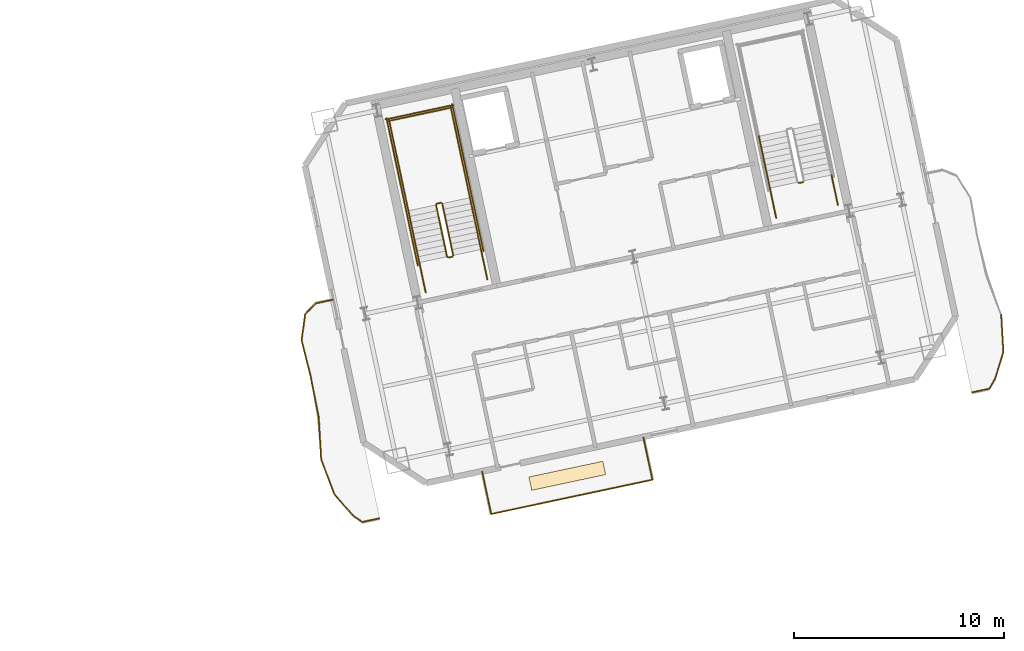
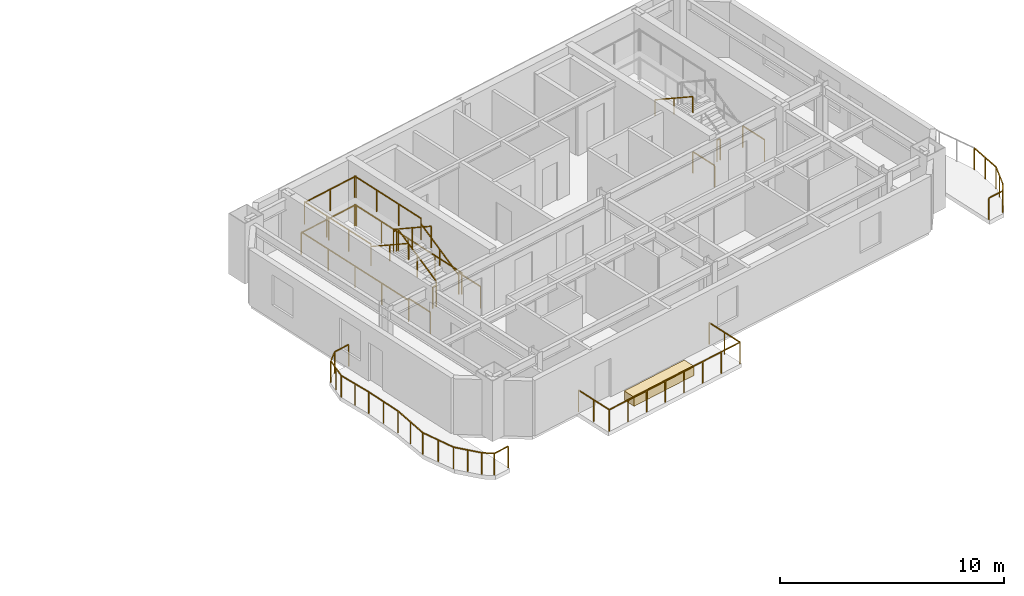
# One storey, part 13 of 14: 35 railings, 1 covering.
"""IFC4 building model written with IfcOpenShell, lengths in metres."""

from ifc_helpers import new_model, si_unit, direction, frame, origin, origin_2d, place, context, subcontext, project, spatial, rectangle, extrude, material, layer, layer_set, type_object, element, save


model = new_model("IFC4")

# Units and contexts
model_context = context("Model", 3, precision=1e-05, world=origin(), true_north=direction((0.0, 1.0)))
body_context = subcontext(model_context, "Body", "Model", "MODEL_VIEW")
ifc_project = project(units=[si_unit("LENGTHUNIT", "METRE"), si_unit("AREAUNIT", "SQUARE_METRE"), si_unit("VOLUMEUNIT", "CUBIC_METRE"), si_unit("PLANEANGLEUNIT", "RADIAN"), si_unit("MASSUNIT", "GRAM", prefix="KILO")], contexts=[model_context])

# Site, building, storey
site_placement = place(None, origin())
site = spatial("IfcSite", under=ifc_project, at=site_placement, CompositionType="ELEMENT")
building_placement = place(site_placement, origin())
building = spatial("IfcBuilding", under=site, at=building_placement, Name="Haevon Station Towers", CompositionType="ELEMENT")
storey_placement = place(building_placement, frame((0.0, 0.0, 228.60009765625)))
storey = spatial("IfcBuildingStorey", under=building, at=storey_placement, Name="L63", CompositionType="ELEMENT", Elevation=228.60009765625)

# Railings
ifc_material_1 = material(Name="Steel S355", Category="steel")
railing_type_1 = type_object("IfcRailingType", Name="GRD-EXT1200", PredefinedType="GUARDRAIL", material=ifc_material_1)
railing_1_placement = place(storey_placement, frame((94.71142578125, 37.58251953125, 0.0)))
element("IfcRailing", 1, at=railing_1_placement, inside=storey, type_object=railing_type_1, Name="L63 Perimeter Guardrail 1", PredefinedType="GUARDRAIL", context=body_context, shape_type="SweptSolid", body=[
    extrude(rectangle(XDim=0.048095703125, YDim=0.048095703125, at=origin_2d()), frame((0.0, 0.0, 1.17578125), z_axis=(-0.977678572445, -0.210106185017, 0.0), x_axis=(0.210106185017, -0.977678572445, 0.0)), (0.0, 0.0, 1.0), 0.837890625),
    extrude(rectangle(XDim=0.0419921875, YDim=0.0419921875, at=origin_2d()), origin(), (0.0, 0.0, 1.0), 1.15185546875),
    extrude(rectangle(XDim=0.0419921875, YDim=0.0419921875, at=origin_2d()), frame((-0.819091796875, -0.176025390625, 0.0)), (0.0, 0.0, 1.0), 1.15185546875),
])
railing_2_placement = place(storey_placement, frame((93.892333984375, 37.406494140625, 0.0)))
element("IfcRailing", 2, at=railing_2_placement, inside=storey, type_object=railing_type_1, Name="L63 Perimeter Guardrail 2", PredefinedType="GUARDRAIL", context=body_context, shape_type="SweptSolid", body=[
    extrude(rectangle(XDim=0.048095703125, YDim=0.048095703125, at=origin_2d()), frame((0.0, 0.0, 1.17578125), z_axis=(-0.691571499126, -0.722308010198, 0.0), x_axis=(0.722308010198, -0.691571499126, 0.0)), (0.0, 0.0, 1.0), 0.730712890625),
    extrude(rectangle(XDim=0.0419921875, YDim=0.0419921875, at=origin_2d()), origin(), (0.0, 0.0, 1.0), 1.15185546875),
    extrude(rectangle(XDim=0.0419921875, YDim=0.0419921875, at=origin_2d()), frame((-0.50537109375, -0.52783203125, 0.0)), (0.0, 0.0, 1.0), 1.15185546875),
])
railing_3_placement = place(storey_placement, frame((93.386962890625, 36.878662109375, 0.0)))
element("IfcRailing", 3, at=railing_3_placement, inside=storey, type_object=railing_type_1, Name="L63 Perimeter Guardrail 3", PredefinedType="GUARDRAIL", context=body_context, shape_type="SweptSolid", body=[
    extrude(rectangle(XDim=0.048095703125, YDim=0.048095703125, at=origin_2d()), frame((0.0, 0.0, 1.17578125), z_axis=(-0.134376751638, -0.990930314714, 0.0), x_axis=(0.990930314714, -0.134376751638, 0.0)), (0.0, 0.0, 1.0), 1.24267578125),
    extrude(rectangle(XDim=0.0419921875, YDim=0.0419921875, at=origin_2d()), origin(), (0.0, 0.0, 1.0), 1.15185546875),
    extrude(rectangle(XDim=0.0419921875, YDim=0.0419921875, at=origin_2d()), frame((-0.08349609375, -0.61572265625, 0.0)), (0.0, 0.0, 1.0), 1.15185546875),
    extrude(rectangle(XDim=0.0419921875, YDim=0.0419921875, at=origin_2d()), frame((-0.1669921875, -1.2314453125, 0.0)), (0.0, 0.0, 1.0), 1.15185546875),
])
railing_4_placement = place(storey_placement, frame((93.219970703125, 35.647216796875, 0.0)))
element("IfcRailing", 4, at=railing_4_placement, inside=storey, type_object=railing_type_1, Name="L63 Perimeter Guardrail 4", PredefinedType="GUARDRAIL", context=body_context, shape_type="SweptSolid", body=[
    extrude(rectangle(XDim=0.048095703125, YDim=0.048095703125, at=origin_2d()), frame((0.0, 0.0, 1.17578125), z_axis=(0.243814635362, -0.969821851467, 0.0), x_axis=(0.969821851467, 0.243814635362, 0.0)), (0.0, 0.0, 1.0), 1.751220703125),
    extrude(rectangle(XDim=0.0419921875, YDim=0.0419921875, at=origin_2d()), origin(), (0.0, 0.0, 1.0), 1.15185546875),
    extrude(rectangle(XDim=0.0419921875, YDim=0.0419921875, at=origin_2d()), frame((0.21337890625, -0.84912109375, 0.0)), (0.0, 0.0, 1.0), 1.15185546875),
    extrude(rectangle(XDim=0.0419921875, YDim=0.0419921875, at=origin_2d()), frame((0.427001953125, -1.698486328125, 0.0)), (0.0, 0.0, 1.0), 1.15185546875),
])
railing_5_placement = place(storey_placement, frame((93.64697265625, 33.94873046875, 0.0)))
element("IfcRailing", 5, at=railing_5_placement, inside=storey, type_object=railing_type_1, Name="L63 Perimeter Guardrail 5", PredefinedType="GUARDRAIL", context=body_context, shape_type="SweptSolid", body=[
    extrude(rectangle(XDim=0.048095703125, YDim=0.048095703125, at=origin_2d()), frame((0.0, 0.0, 1.17578125), z_axis=(0.195384427419, -0.980726733358, 0.0), x_axis=(0.980726733358, 0.195384427419, 0.0)), (0.0, 0.0, 1.0), 1.9892578125),
    extrude(rectangle(XDim=0.0419921875, YDim=0.0419921875, at=origin_2d()), origin(), (0.0, 0.0, 1.0), 1.15185546875),
    extrude(rectangle(XDim=0.0419921875, YDim=0.0419921875, at=origin_2d()), frame((0.1943359375, -0.9755859375, 0.0)), (0.0, 0.0, 1.0), 1.15185546875),
    extrude(rectangle(XDim=0.0419921875, YDim=0.0419921875, at=origin_2d()), frame((0.388671875, -1.950927734375, 0.0)), (0.0, 0.0, 1.0), 1.15185546875),
])
railing_6_placement = place(storey_placement, frame((94.03564453125, 31.997802734375, 0.0)))
element("IfcRailing", 6, at=railing_6_placement, inside=storey, type_object=railing_type_1, Name="L63 Perimeter Guardrail 6", PredefinedType="GUARDRAIL", context=body_context, shape_type="SweptSolid", body=[
    extrude(rectangle(XDim=0.048095703125, YDim=0.048095703125, at=origin_2d()), frame((0.0, 0.0, 1.17578125), z_axis=(0.056904973514, -0.998379599145, 0.0), x_axis=(0.998379599145, 0.056904973514, 0.0)), (0.0, 0.0, 1.0), 2.016357421875),
    extrude(rectangle(XDim=0.0419921875, YDim=0.0419921875, at=origin_2d()), origin(), (0.0, 0.0, 1.0), 1.15185546875),
    extrude(rectangle(XDim=0.0419921875, YDim=0.0419921875, at=origin_2d()), frame((0.057373046875, -1.006591796875, 0.0)), (0.0, 0.0, 1.0), 1.15185546875),
    extrude(rectangle(XDim=0.0419921875, YDim=0.0419921875, at=origin_2d()), frame((0.11474609375, -2.01318359375, 0.0)), (0.0, 0.0, 1.0), 1.15185546875),
])
railing_7_placement = place(storey_placement, frame((94.150390625, 29.984619140625, 0.0)))
element("IfcRailing", 7, at=railing_7_placement, inside=storey, type_object=railing_type_1, Name="L63 Perimeter Guardrail 7", PredefinedType="GUARDRAIL", context=body_context, shape_type="SweptSolid", body=[
    extrude(rectangle(XDim=0.048095703125, YDim=0.048095703125, at=origin_2d()), frame((0.0, 0.0, 1.17578125), z_axis=(0.353500001833, -0.935434524007, 0.0), x_axis=(0.935434524007, 0.353500001833, 0.0)), (0.0, 0.0, 1.0), 1.7666015625),
    extrude(rectangle(XDim=0.0419921875, YDim=0.0419921875, at=origin_2d()), origin(), (0.0, 0.0, 1.0), 1.15185546875),
    extrude(rectangle(XDim=0.0419921875, YDim=0.0419921875, at=origin_2d()), frame((0.312255859375, -0.826171875, 0.0)), (0.0, 0.0, 1.0), 1.15185546875),
    extrude(rectangle(XDim=0.0419921875, YDim=0.0419921875, at=origin_2d()), frame((0.62451171875, -1.652587890625, 0.0)), (0.0, 0.0, 1.0), 1.15185546875),
])
railing_8_placement = place(storey_placement, frame((94.77490234375, 28.33203125, 0.0)))
element("IfcRailing", 8, at=railing_8_placement, inside=storey, type_object=railing_type_1, Name="L63 Perimeter Guardrail 8", PredefinedType="GUARDRAIL", context=body_context, shape_type="SweptSolid", body=[
    extrude(rectangle(XDim=0.048095703125, YDim=0.048095703125, at=origin_2d()), frame((0.0, 0.0, 1.17578125), z_axis=(0.654874885336, -0.755737311872, 0.0), x_axis=(0.755737311872, 0.654874885336, 0.0)), (0.0, 0.0, 1.0), 1.336181640625),
    extrude(rectangle(XDim=0.0419921875, YDim=0.0419921875, at=origin_2d()), origin(), (0.0, 0.0, 1.0), 1.15185546875),
    extrude(rectangle(XDim=0.0419921875, YDim=0.0419921875, at=origin_2d()), frame((0.4375, -0.5048828125, 0.0)), (0.0, 0.0, 1.0), 1.15185546875),
    extrude(rectangle(XDim=0.0419921875, YDim=0.0419921875, at=origin_2d()), frame((0.875, -1.009765625, 0.0)), (0.0, 0.0, 1.0), 1.15185546875),
])
railing_9_placement = place(storey_placement, frame((95.64990234375, 27.322265625, 0.0)))
element("IfcRailing", 9, at=railing_9_placement, inside=storey, type_object=railing_type_1, Name="L63 Perimeter Guardrail 9", PredefinedType="GUARDRAIL", context=body_context, shape_type="SweptSolid", body=[
    extrude(rectangle(XDim=0.048095703125, YDim=0.048095703125, at=origin_2d()), frame((0.0, 0.0, 1.17578125), z_axis=(0.814353577604, -0.580369064168, 0.0), x_axis=(0.580369064168, 0.814353577604, 0.0)), (0.0, 0.0, 1.0), 0.55810546875),
    extrude(rectangle(XDim=0.0419921875, YDim=0.0419921875, at=origin_2d()), origin(), (0.0, 0.0, 1.0), 1.15185546875),
    extrude(rectangle(XDim=0.0419921875, YDim=0.0419921875, at=origin_2d()), frame((0.45458984375, -0.323974609375, 0.0)), (0.0, 0.0, 1.0), 1.15185546875),
])
railing_10_placement = place(storey_placement, frame((96.1044921875, 26.998291015625, 0.0)))
element("IfcRailing", 10, at=railing_10_placement, inside=storey, type_object=railing_type_1, Name="L63 Perimeter Guardrail 10", PredefinedType="GUARDRAIL", context=body_context, shape_type="SweptSolid", body=[
    extrude(rectangle(XDim=0.048095703125, YDim=0.048095703125, at=origin_2d()), frame((0.0, 0.0, 1.17578125), z_axis=(0.978617737227, 0.20568744343, 0.0), x_axis=(-0.20568744343, 0.978617737227, 0.0)), (0.0, 0.0, 1.0), 0.837890625),
    extrude(rectangle(XDim=0.0419921875, YDim=0.0419921875, at=origin_2d()), origin(), (0.0, 0.0, 1.0), 1.15185546875),
    extrude(rectangle(XDim=0.0419921875, YDim=0.0419921875, at=origin_2d()), frame((0.820068359375, 0.17236328125, 0.0)), (0.0, 0.0, 1.0), 1.15185546875),
])
railing_11_placement = place(storey_placement, frame((125.14111328125, 33.16845703125, 0.0)))
element("IfcRailing", 11, at=railing_11_placement, inside=storey, type_object=railing_type_1, Name="L63 Perimeter Guardrail 1", PredefinedType="GUARDRAIL", context=body_context, shape_type="SweptSolid", body=[
    extrude(rectangle(XDim=0.048095703125, YDim=0.048095703125, at=origin_2d()), frame((0.0, 0.0, 1.17578125), z_axis=(0.977678572445, 0.210106185017, 0.0), x_axis=(-0.210106185017, 0.977678572445, 0.0)), (0.0, 0.0, 1.0), 0.837890625),
    extrude(rectangle(XDim=0.0419921875, YDim=0.0419921875, at=origin_2d()), origin(), (0.0, 0.0, 1.0), 1.15185546875),
    extrude(rectangle(XDim=0.0419921875, YDim=0.0419921875, at=origin_2d()), frame((0.819091796875, 0.176025390625, 0.0)), (0.0, 0.0, 1.0), 1.15185546875),
])
railing_12_placement = place(storey_placement, frame((125.960205078125, 33.344482421875, 0.0)))
element("IfcRailing", 12, at=railing_12_placement, inside=storey, type_object=railing_type_1, Name="L63 Perimeter Guardrail 2", PredefinedType="GUARDRAIL", context=body_context, shape_type="SweptSolid", body=[
    extrude(rectangle(XDim=0.048095703125, YDim=0.048095703125, at=origin_2d()), frame((0.0, 0.0, 1.17578125), z_axis=(0.508242948438, 0.861213739651, 0.0), x_axis=(-0.861213739651, 0.508242948438, 0.0)), (0.0, 0.0, 1.0), 0.55810546875),
    extrude(rectangle(XDim=0.0419921875, YDim=0.0419921875, at=origin_2d()), origin(), (0.0, 0.0, 1.0), 1.15185546875),
    extrude(rectangle(XDim=0.0419921875, YDim=0.0419921875, at=origin_2d()), frame((0.28369140625, 0.480712890625, 0.0)), (0.0, 0.0, 1.0), 1.15185546875),
])
railing_13_placement = place(storey_placement, frame((126.243896484375, 33.8251953125, 0.0)))
element("IfcRailing", 13, at=railing_13_placement, inside=storey, type_object=railing_type_1, Name="L63 Perimeter Guardrail 3", PredefinedType="GUARDRAIL", context=body_context, shape_type="SweptSolid", body=[
    extrude(rectangle(XDim=0.048095703125, YDim=0.048095703125, at=origin_2d()), frame((0.0, 0.0, 1.17578125), z_axis=(0.290899845099, 0.95675351064, 0.0), x_axis=(-0.95675351064, 0.290899845099, 0.0)), (0.0, 0.0, 1.0), 1.336181640625),
    extrude(rectangle(XDim=0.0419921875, YDim=0.0419921875, at=origin_2d()), origin(), (0.0, 0.0, 1.0), 1.15185546875),
    extrude(rectangle(XDim=0.0419921875, YDim=0.0419921875, at=origin_2d()), frame((0.1943359375, 0.63916015625, 0.0)), (0.0, 0.0, 1.0), 1.15185546875),
    extrude(rectangle(XDim=0.0419921875, YDim=0.0419921875, at=origin_2d()), frame((0.388671875, 1.2783203125, 0.0)), (0.0, 0.0, 1.0), 1.15185546875),
])
railing_14_placement = place(storey_placement, frame((126.632568359375, 35.103515625, 0.0)))
element("IfcRailing", 14, at=railing_14_placement, inside=storey, type_object=railing_type_1, Name="L63 Perimeter Guardrail 4", PredefinedType="GUARDRAIL", context=body_context, shape_type="SweptSolid", body=[
    extrude(rectangle(XDim=0.048095703125, YDim=0.048095703125, at=origin_2d()), frame((0.0, 0.0, 1.17578125), z_axis=(-0.057490580882, 0.998346048778, 0.0), x_axis=(-0.998346048778, -0.057490580882, 0.0)), (0.0, 0.0, 1.0), 1.7666015625),
    extrude(rectangle(XDim=0.0419921875, YDim=0.0419921875, at=origin_2d()), origin(), (0.0, 0.0, 1.0), 1.15185546875),
    extrude(rectangle(XDim=0.0419921875, YDim=0.0419921875, at=origin_2d()), frame((-0.05078125, 0.8818359375, 0.0)), (0.0, 0.0, 1.0), 1.15185546875),
    extrude(rectangle(XDim=0.0419921875, YDim=0.0419921875, at=origin_2d()), frame((-0.1015625, 1.763671875, 0.0)), (0.0, 0.0, 1.0), 1.15185546875),
])
railing_15_placement = place(storey_placement, frame((102.248291015625, 27.379638671875, 0.0)))
element("IfcRailing", 15, at=railing_15_placement, inside=storey, type_object=railing_type_1, Name="L63 Perimeter Guardrail 1", PredefinedType="GUARDRAIL", context=body_context, shape_type="SweptSolid", body=[
    extrude(rectangle(XDim=0.048095703125, YDim=0.048095703125, at=origin_2d()), frame((0.0, 0.0, 1.17578125), z_axis=(0.978148093399, 0.207909372996, 0.0), x_axis=(-0.207909372996, 0.978148093399, 0.0)), (0.0, 0.0, 1.0), 7.84521484375),
    extrude(rectangle(XDim=0.0419921875, YDim=0.0419921875, at=origin_2d()), origin(), (0.0, 0.0, 1.0), 1.15185546875),
    extrude(rectangle(XDim=0.0419921875, YDim=0.0419921875, at=origin_2d()), frame((1.09619140625, 0.23291015625, 0.0)), (0.0, 0.0, 1.0), 1.15185546875),
    extrude(rectangle(XDim=0.0419921875, YDim=0.0419921875, at=origin_2d()), frame((2.192626953125, 0.466064453125, 0.0)), (0.0, 0.0, 1.0), 1.15185546875),
    extrude(rectangle(XDim=0.0419921875, YDim=0.0419921875, at=origin_2d()), frame((3.288818359375, 0.698974609375, 0.0)), (0.0, 0.0, 1.0), 1.15185546875),
    extrude(rectangle(XDim=0.0419921875, YDim=0.0419921875, at=origin_2d()), frame((4.385009765625, 0.93212890625, 0.0)), (0.0, 0.0, 1.0), 1.15185546875),
    extrude(rectangle(XDim=0.0419921875, YDim=0.0419921875, at=origin_2d()), frame((5.481201171875, 1.1650390625, 0.0)), (0.0, 0.0, 1.0), 1.15185546875),
    extrude(rectangle(XDim=0.0419921875, YDim=0.0419921875, at=origin_2d()), frame((6.57763671875, 1.398193359375, 0.0)), (0.0, 0.0, 1.0), 1.15185546875),
    extrude(rectangle(XDim=0.0419921875, YDim=0.0419921875, at=origin_2d()), frame((7.673828125, 1.631103515625, 0.0)), (0.0, 0.0, 1.0), 1.15185546875),
])
railing_16_placement = place(storey_placement, frame((109.922119140625, 29.0107421875, 0.0)))
element("IfcRailing", 16, at=railing_16_placement, inside=storey, type_object=railing_type_1, Name="L63 Perimeter Guardrail 2", PredefinedType="GUARDRAIL", context=body_context, shape_type="SweptSolid", body=[
    extrude(rectangle(XDim=0.048095703125, YDim=0.048095703125, at=origin_2d()), frame((0.0, 0.0, 1.17578125), z_axis=(-0.207962507169, 0.978136798005, 0.0), x_axis=(-0.978136798005, -0.207962507169, 0.0)), (0.0, 0.0, 1.0), 2.054443359375),
    extrude(rectangle(XDim=0.0419921875, YDim=0.0419921875, at=origin_2d()), origin(), (0.0, 0.0, 1.0), 1.15185546875),
    extrude(rectangle(XDim=0.0419921875, YDim=0.0419921875, at=origin_2d()), frame((-0.213623046875, 1.0048828125, 0.0)), (0.0, 0.0, 1.0), 1.15185546875),
    extrude(rectangle(XDim=0.0419921875, YDim=0.0419921875, at=origin_2d()), frame((-0.42724609375, 2.009521484375, 0.0)), (0.0, 0.0, 1.0), 1.15185546875),
])
railing_17_placement = place(storey_placement, frame((101.821044921875, 29.38916015625, 0.0)))
element("IfcRailing", 17, at=railing_17_placement, inside=storey, type_object=railing_type_1, Name="L63 Perimeter Guardrail 3", PredefinedType="GUARDRAIL", context=body_context, shape_type="SweptSolid", body=[
    extrude(rectangle(XDim=0.048095703125, YDim=0.048095703125, at=origin_2d()), frame((0.0, 0.0, 1.17578125), z_axis=(0.207962507169, -0.978136798005, 0.0), x_axis=(0.978136798005, 0.207962507169, 0.0)), (0.0, 0.0, 1.0), 2.054443359375),
    extrude(rectangle(XDim=0.0419921875, YDim=0.0419921875, at=origin_2d()), origin(), (0.0, 0.0, 1.0), 1.15185546875),
    extrude(rectangle(XDim=0.0419921875, YDim=0.0419921875, at=origin_2d()), frame((0.213623046875, -1.0048828125, 0.0)), (0.0, 0.0, 1.0), 1.15185546875),
    extrude(rectangle(XDim=0.0419921875, YDim=0.0419921875, at=origin_2d()), frame((0.42724609375, -2.009521484375, 0.0)), (0.0, 0.0, 1.0), 1.15185546875),
])
railing_type_2 = type_object("IfcRailingType", Name="GRD-STR1200", PredefinedType="GUARDRAIL", material=ifc_material_1)
railing_18_placement = place(storey_placement, frame((100.44140625, 39.69287109375, 0.164794921875)))
element("IfcRailing", 18, at=railing_18_placement, inside=storey, type_object=railing_type_2, Name="L63 ST3 Stair Guard 1", PredefinedType="GUARDRAIL", context=body_context, shape_type="SweptSolid", body=[
    extrude(rectangle(XDim=0.048095703125, YDim=0.048095703125, at=origin_2d()), frame((0.0, 0.0, 1.17578125), z_axis=(-0.179121265225, 0.842687928106, 0.507732831485), x_axis=(-0.978147030254, -0.207914374695, 0.0)), (0.0, 0.0, 1.0), 2.925048828125),
    extrude(rectangle(XDim=0.0419921875, YDim=0.0419921875, at=origin_2d()), origin(), (0.0, 0.0, 1.0), 1.15185546875),
    extrude(rectangle(XDim=0.0419921875, YDim=0.0419921875, at=origin_2d()), frame((-0.261962890625, 1.232421875, 0.74267578125)), (0.0, 0.0, 1.0), 1.15185546875),
    extrude(rectangle(XDim=0.0419921875, YDim=0.0419921875, at=origin_2d()), frame((-0.52392578125, 2.46484375, 1.485107421875)), (0.0, 0.0, 1.0), 1.15185546875),
])
railing_19_placement = place(storey_placement, frame((99.858154296875, 42.1962890625, 1.64990234375)))
element("IfcRailing", 19, at=railing_19_placement, inside=storey, type_object=railing_type_2, Name="L63 ST3 Stair Guard 2", PredefinedType="GUARDRAIL", context=body_context, shape_type="SweptSolid", body=[
    extrude(rectangle(XDim=0.048095703125, YDim=0.048095703125, at=origin_2d()), frame((0.0, 0.0, 1.17578125), z_axis=(-0.977962931203, -0.208778603291, 0.0), x_axis=(0.208778603291, -0.977962931203, 0.0)), (0.0, 0.0, 1.0), 0.199951171875),
    extrude(rectangle(XDim=0.0419921875, YDim=0.0419921875, at=origin_2d()), origin(), (0.0, 0.0, 1.0), 1.15185546875),
    extrude(rectangle(XDim=0.0419921875, YDim=0.0419921875, at=origin_2d()), frame((-0.195556640625, -0.041748046875, 0.0)), (0.0, 0.0, 1.0), 1.15185546875),
])
railing_20_placement = place(storey_placement, frame((101.238037109375, 42.4384765625, 1.64990234375)))
element("IfcRailing", 20, at=railing_20_placement, inside=storey, type_object=railing_type_2, Name="L63 ST3 Stair Guard 3", PredefinedType="GUARDRAIL", context=body_context, shape_type="SweptSolid", body=[
    extrude(rectangle(XDim=0.048095703125, YDim=0.048095703125, at=origin_2d()), frame((0.0, 0.0, 1.17578125), z_axis=(-0.20794048909, 0.978141479029, 0.0), x_axis=(-0.978141479029, -0.20794048909, 0.0)), (0.0, 0.0, 1.0), 4.429931640625),
    extrude(rectangle(XDim=0.0419921875, YDim=0.0419921875, at=origin_2d()), origin(), (0.0, 0.0, 1.0), 1.15185546875),
    extrude(rectangle(XDim=0.0419921875, YDim=0.0419921875, at=origin_2d()), frame((-0.30712890625, 1.4443359375, 0.0)), (0.0, 0.0, 1.0), 1.15185546875),
    extrude(rectangle(XDim=0.0419921875, YDim=0.0419921875, at=origin_2d()), frame((-0.614013671875, 2.888671875, 0.0)), (0.0, 0.0, 1.0), 1.15185546875),
    extrude(rectangle(XDim=0.0419921875, YDim=0.0419921875, at=origin_2d()), frame((-0.921142578125, 4.3330078125, 0.0)), (0.0, 0.0, 1.0), 1.15185546875),
])
railing_21_placement = place(storey_placement, frame((98.303466796875, 41.814697265625, 1.64990234375)))
element("IfcRailing", 21, at=railing_21_placement, inside=storey, type_object=railing_type_2, Name="L63 ST3 Stair Guard 4", PredefinedType="GUARDRAIL", context=body_context, shape_type="SweptSolid", body=[
    extrude(rectangle(XDim=0.048095703125, YDim=0.048095703125, at=origin_2d()), frame((0.0, 0.0, 1.17578125), z_axis=(-0.207876551949, 0.978155069071, 0.0), x_axis=(-0.978155069071, -0.207876551949, 0.0)), (0.0, 0.0, 1.0), 4.429931640625),
    extrude(rectangle(XDim=0.0419921875, YDim=0.0419921875, at=origin_2d()), origin(), (0.0, 0.0, 1.0), 1.15185546875),
    extrude(rectangle(XDim=0.0419921875, YDim=0.0419921875, at=origin_2d()), frame((-0.306884765625, 1.4443359375, 0.0)), (0.0, 0.0, 1.0), 1.15185546875),
    extrude(rectangle(XDim=0.0419921875, YDim=0.0419921875, at=origin_2d()), frame((-0.614013671875, 2.888916015625, 0.0)), (0.0, 0.0, 1.0), 1.15185546875),
    extrude(rectangle(XDim=0.0419921875, YDim=0.0419921875, at=origin_2d()), frame((-0.9208984375, 4.333251953125, 0.0)), (0.0, 0.0, 1.0), 1.15185546875),
])
railing_22_placement = place(storey_placement, frame((100.376220703125, 46.733154296875, 1.64990234375)))
element("IfcRailing", 22, at=railing_22_placement, inside=storey, type_object=railing_type_2, Name="L63 ST3 Stair Guard 5", PredefinedType="GUARDRAIL", context=body_context, shape_type="SweptSolid", body=[
    extrude(rectangle(XDim=0.048095703125, YDim=0.048095703125, at=origin_2d()), frame((0.0, 0.0, 1.17578125), z_axis=(-0.978146839882, -0.207915270313, 0.0), x_axis=(0.207915270313, -0.978146839882, 0.0)), (0.0, 0.0, 1.0), 3.099853515625),
    extrude(rectangle(XDim=0.0419921875, YDim=0.0419921875, at=origin_2d()), origin(), (0.0, 0.0, 1.0), 1.15185546875),
    extrude(rectangle(XDim=0.0419921875, YDim=0.0419921875, at=origin_2d()), frame((-1.51611328125, -0.322265625, 0.0)), (0.0, 0.0, 1.0), 1.15185546875),
    extrude(rectangle(XDim=0.0419921875, YDim=0.0419921875, at=origin_2d()), frame((-3.0322265625, -0.64453125, 0.0)), (0.0, 0.0, 1.0), 1.15185546875),
])
railing_23_placement = place(storey_placement, frame((99.6240234375, 42.09521484375, 1.81494140625)))
element("IfcRailing", 23, at=railing_23_placement, inside=storey, type_object=railing_type_2, Name="L63 ST3 Stair Guard 6", PredefinedType="GUARDRAIL", context=body_context, shape_type="SweptSolid", body=[
    extrude(rectangle(XDim=0.048095703125, YDim=0.048095703125, at=origin_2d()), frame((0.0, 0.0, 1.17578125), z_axis=(0.179128856099, -0.842723639875, 0.507670877349), x_axis=(0.978147030254, 0.207914374695, 0.0)), (0.0, 0.0, 1.0), 2.9248046875),
    extrude(rectangle(XDim=0.0419921875, YDim=0.0419921875, at=origin_2d()), origin(), (0.0, 0.0, 1.0), 1.15185546875),
    extrude(rectangle(XDim=0.0419921875, YDim=0.0419921875, at=origin_2d()), frame((0.261962890625, -1.232421875, 0.742431640625)), (0.0, 0.0, 1.0), 1.15185546875),
    extrude(rectangle(XDim=0.0419921875, YDim=0.0419921875, at=origin_2d()), frame((0.52392578125, -2.46484375, 1.48486328125)), (0.0, 0.0, 1.0), 1.15185546875),
])
railing_24_placement = place(storey_placement, frame((100.40283203125, 39.633544921875, 0.0)))
element("IfcRailing", 24, at=railing_24_placement, inside=storey, type_object=railing_type_2, Name="L63 ST3 Stair Guard 7", PredefinedType="GUARDRAIL", context=body_context, shape_type="SweptSolid", body=[
    extrude(rectangle(XDim=0.048095703125, YDim=0.048095703125, at=origin_2d()), frame((0.0, 0.0, 1.17578125), z_axis=(-0.977962931203, -0.208778603291, 0.0), x_axis=(0.208778603291, -0.977962931203, 0.0)), (0.0, 0.0, 1.0), 0.199951171875),
    extrude(rectangle(XDim=0.0419921875, YDim=0.0419921875, at=origin_2d()), origin(), (0.0, 0.0, 1.0), 1.15185546875),
    extrude(rectangle(XDim=0.0419921875, YDim=0.0419921875, at=origin_2d()), frame((-0.195556640625, -0.041748046875, 0.0)), (0.0, 0.0, 1.0), 1.15185546875),
])
for number, where, name in (
    (25, (102.0634765625, 38.55517578125, 0.0), "L63 ST3 Stair Guard 8"),
    (26, (99.12890625, 37.931396484375, 0.0), "L63 ST3 Stair Guard 9"),
):
    element("IfcRailing", number, at=place(storey_placement, frame(where)), inside=storey, type_object=railing_type_2, Name=name, PredefinedType="GUARDRAIL", context=body_context, shape_type="SweptSolid", body=[
        extrude(rectangle(XDim=0.048095703125, YDim=0.048095703125, at=origin_2d()), frame((0.0, 0.0, 1.17578125), z_axis=(-0.207953405961, 0.978138732977, 0.0), x_axis=(-0.978138732977, -0.207953405961, 0.0)), (0.0, 0.0, 1.0), 1.449951171875),
        extrude(rectangle(XDim=0.0419921875, YDim=0.0419921875, at=origin_2d()), origin(), (0.0, 0.0, 1.0), 1.15185546875),
        extrude(rectangle(XDim=0.0419921875, YDim=0.0419921875, at=origin_2d()), frame((-0.301513671875, 1.418212890625, 0.0)), (0.0, 0.0, 1.0), 1.15185546875),
    ])
railing_25_placement = place(storey_placement, frame((101.88037109375, 39.896484375, 0.0)))
element("IfcRailing", 27, at=railing_25_placement, inside=storey, type_object=railing_type_2, Name="L63 ST3 Stair Guard 10", PredefinedType="GUARDRAIL", context=body_context, shape_type="SweptSolid", body=[
    extrude(rectangle(XDim=0.048095703125, YDim=0.048095703125, at=origin_2d()), frame((0.0, 0.0, 1.17578125), z_axis=(-0.207882442208, 0.978153817261, 0.0), x_axis=(-0.978153817261, -0.207882442208, 0.0)), (0.0, 0.0, 1.0), 7.14990234375),
    extrude(rectangle(XDim=0.0419921875, YDim=0.0419921875, at=origin_2d()), origin(), (0.0, 0.0, 1.0), 1.15185546875),
    extrude(rectangle(XDim=0.0419921875, YDim=0.0419921875, at=origin_2d()), frame((-0.37158203125, 1.74853515625, 0.0)), (0.0, 0.0, 1.0), 1.15185546875),
    extrude(rectangle(XDim=0.0419921875, YDim=0.0419921875, at=origin_2d()), frame((-0.7431640625, 3.496826171875, 0.0)), (0.0, 0.0, 1.0), 1.15185546875),
    extrude(rectangle(XDim=0.0419921875, YDim=0.0419921875, at=origin_2d()), frame((-1.11474609375, 5.2451171875, 0.0)), (0.0, 0.0, 1.0), 1.15185546875),
    extrude(rectangle(XDim=0.0419921875, YDim=0.0419921875, at=origin_2d()), frame((-1.486328125, 6.99365234375, 0.0)), (0.0, 0.0, 1.0), 1.15185546875),
])
railing_26_placement = place(storey_placement, frame((98.75048828125, 39.231201171875, 0.0)))
element("IfcRailing", 28, at=railing_26_placement, inside=storey, type_object=railing_type_2, Name="L63 ST3 Stair Guard 11", PredefinedType="GUARDRAIL", context=body_context, shape_type="SweptSolid", body=[
    extrude(rectangle(XDim=0.048095703125, YDim=0.048095703125, at=origin_2d()), frame((0.0, 0.0, 1.17578125), z_axis=(-0.207915112487, 0.978146873429, 0.0), x_axis=(-0.978146873429, -0.207915112487, 0.0)), (0.0, 0.0, 1.0), 7.14990234375),
    extrude(rectangle(XDim=0.0419921875, YDim=0.0419921875, at=origin_2d()), origin(), (0.0, 0.0, 1.0), 1.15185546875),
    extrude(rectangle(XDim=0.0419921875, YDim=0.0419921875, at=origin_2d()), frame((-0.37158203125, 1.74853515625, 0.0)), (0.0, 0.0, 1.0), 1.15185546875),
    extrude(rectangle(XDim=0.0419921875, YDim=0.0419921875, at=origin_2d()), frame((-0.7431640625, 3.496826171875, 0.0)), (0.0, 0.0, 1.0), 1.15185546875),
    extrude(rectangle(XDim=0.0419921875, YDim=0.0419921875, at=origin_2d()), frame((-1.114990234375, 5.2451171875, 0.0)), (0.0, 0.0, 1.0), 1.15185546875),
    extrude(rectangle(XDim=0.0419921875, YDim=0.0419921875, at=origin_2d()), frame((-1.486572265625, 6.99365234375, 0.0)), (0.0, 0.0, 1.0), 1.15185546875),
])
railing_27_placement = place(storey_placement, frame((100.453125, 46.8515625, 0.0)))
element("IfcRailing", 29, at=railing_27_placement, inside=storey, type_object=railing_type_2, Name="L63 ST3 Stair Guard 12", PredefinedType="GUARDRAIL", context=body_context, shape_type="SweptSolid", body=[
    extrude(rectangle(XDim=0.048095703125, YDim=0.048095703125, at=origin_2d()), frame((0.0, 0.0, 1.17578125), z_axis=(-0.978150764849, -0.207896804268, 0.0), x_axis=(0.207896804268, -0.978150764849, 0.0)), (0.0, 0.0, 1.0), 3.2998046875),
    extrude(rectangle(XDim=0.0419921875, YDim=0.0419921875, at=origin_2d()), origin(), (0.0, 0.0, 1.0), 1.15185546875),
    extrude(rectangle(XDim=0.0419921875, YDim=0.0419921875, at=origin_2d()), frame((-1.61376953125, -0.343017578125, 0.0)), (0.0, 0.0, 1.0), 1.15185546875),
    extrude(rectangle(XDim=0.0419921875, YDim=0.0419921875, at=origin_2d()), frame((-3.227783203125, -0.68603515625, 0.0)), (0.0, 0.0, 1.0), 1.15185546875),
])
railing_28_placement = place(storey_placement, frame((117.090087890625, 43.180419921875, 0.0)))
element("IfcRailing", 30, at=railing_28_placement, inside=storey, type_object=railing_type_2, Name="L63 ST4 Stair Guard 7", PredefinedType="GUARDRAIL", context=body_context, shape_type="SweptSolid", body=[
    extrude(rectangle(XDim=0.048095703125, YDim=0.048095703125, at=origin_2d()), frame((0.0, 0.0, 1.17578125), z_axis=(-0.978211583308, -0.207610448392, 0.0), x_axis=(0.207610448392, -0.978211583308, 0.0)), (0.0, 0.0, 1.0), 0.199951171875),
    extrude(rectangle(XDim=0.0419921875, YDim=0.0419921875, at=origin_2d()), origin(), (0.0, 0.0, 1.0), 1.15185546875),
    extrude(rectangle(XDim=0.0419921875, YDim=0.0419921875, at=origin_2d()), frame((-0.195556640625, -0.04150390625, 0.0)), (0.0, 0.0, 1.0), 1.15185546875),
])
for number, where, name in (
    (31, (118.75048828125, 42.10205078125, 0.0), "L63 ST4 Stair Guard 8"),
    (32, (115.816162109375, 41.478271484375, 0.0), "L63 ST4 Stair Guard 9"),
):
    element("IfcRailing", number, at=place(storey_placement, frame(where)), inside=storey, type_object=railing_type_2, Name=name, PredefinedType="GUARDRAIL", context=body_context, shape_type="SweptSolid", body=[
        extrude(rectangle(XDim=0.048095703125, YDim=0.048095703125, at=origin_2d()), frame((0.0, 0.0, 1.17578125), z_axis=(-0.207919161079, 0.978146012851, 0.0), x_axis=(-0.978146012851, -0.207919161079, 0.0)), (0.0, 0.0, 1.0), 1.4501953125),
        extrude(rectangle(XDim=0.0419921875, YDim=0.0419921875, at=origin_2d()), origin(), (0.0, 0.0, 1.0), 1.15185546875),
        extrude(rectangle(XDim=0.0419921875, YDim=0.0419921875, at=origin_2d()), frame((-0.301513671875, 1.41845703125, 0.0)), (0.0, 0.0, 1.0), 1.15185546875),
    ])
railing_type_3 = type_object("IfcRailingType", Name="HND-STR900", PredefinedType="HANDRAIL", material=ifc_material_1)
railing_29_placement = place(storey_placement, frame((101.761962890625, 39.973388671875, 0.164794921875)))
element("IfcRailing", 33, at=railing_29_placement, inside=storey, type_object=railing_type_3, Name="L63 ST3 Stair Handrail 1", PredefinedType="HANDRAIL", context=body_context, shape_type="SweptSolid", body=[
    extrude(rectangle(XDim=0.048095703125, YDim=0.048095703125, at=origin_2d()), frame((0.0, 0.0, 0.8759765625), z_axis=(-0.179108667068, 0.842712120868, 0.50769712105), x_axis=(-0.978151217824, -0.207894673017, 0.0)), (0.0, 0.0, 1.0), 2.92529296875),
    extrude(rectangle(XDim=0.0419921875, YDim=0.0419921875, at=origin_2d()), origin(), (0.0, 0.0, 1.0), 0.851806640625),
    extrude(rectangle(XDim=0.0419921875, YDim=0.0419921875, at=origin_2d()), frame((-0.261962890625, 1.232421875, 0.74267578125)), (0.0, 0.0, 1.0), 0.851806640625),
    extrude(rectangle(XDim=0.0419921875, YDim=0.0419921875, at=origin_2d()), frame((-0.52392578125, 2.465087890625, 1.485107421875)), (0.0, 0.0, 1.0), 0.851806640625),
])
railing_30_placement = place(storey_placement, frame((98.303466796875, 41.814697265625, 1.81494140625)))
element("IfcRailing", 34, at=railing_30_placement, inside=storey, type_object=railing_type_3, Name="L63 ST3 Stair Handrail 2", PredefinedType="HANDRAIL", context=body_context, shape_type="SweptSolid", body=[
    extrude(rectangle(XDim=0.048095703125, YDim=0.048095703125, at=origin_2d()), frame((0.0, 0.0, 0.8759765625), z_axis=(0.179116256339, -0.842747828638, 0.507635168246), x_axis=(0.978151217824, 0.207894673017, 0.0)), (0.0, 0.0, 1.0), 2.925048828125),
    extrude(rectangle(XDim=0.0419921875, YDim=0.0419921875, at=origin_2d()), origin(), (0.0, 0.0, 1.0), 0.851806640625),
    extrude(rectangle(XDim=0.0419921875, YDim=0.0419921875, at=origin_2d()), frame((0.261962890625, -1.232421875, 0.742431640625)), (0.0, 0.0, 1.0), 0.851806640625),
    extrude(rectangle(XDim=0.0419921875, YDim=0.0419921875, at=origin_2d()), frame((0.52392578125, -2.465087890625, 1.48486328125)), (0.0, 0.0, 1.0), 0.851806640625),
])
railing_31_placement = place(storey_placement, frame((114.99072265625, 45.361572265625, 1.81494140625)))
element("IfcRailing", 35, at=railing_31_placement, inside=storey, type_object=railing_type_3, Name="L63 ST4 Stair Handrail 2", PredefinedType="HANDRAIL", context=body_context, shape_type="SweptSolid", body=[
    extrude(rectangle(XDim=0.048095703125, YDim=0.048095703125, at=origin_2d()), frame((0.0, 0.0, 0.8759765625), z_axis=(0.179128856099, -0.842723639875, 0.507670877349), x_axis=(0.978147030254, 0.207914374695, 0.0)), (0.0, 0.0, 1.0), 2.9248046875),
    extrude(rectangle(XDim=0.0419921875, YDim=0.0419921875, at=origin_2d()), origin(), (0.0, 0.0, 1.0), 0.851806640625),
    extrude(rectangle(XDim=0.0419921875, YDim=0.0419921875, at=origin_2d()), frame((0.261962890625, -1.232421875, 0.742431640625)), (0.0, 0.0, 1.0), 0.851806640625),
    extrude(rectangle(XDim=0.0419921875, YDim=0.0419921875, at=origin_2d()), frame((0.52392578125, -2.46484375, 1.48486328125)), (0.0, 0.0, 1.0), 0.851806640625),
])

# Covering
ifc_material_2 = material(Name="Architectural planter GRC", Category="concrete")
ifc_layer = layer(ifc_material_2, 0.550048828125)
ifc_layer_set = layer_set([ifc_layer], Name="Architectural planter GRC")
covering_type = type_object("IfcCoveringType", Name="PLN-GRC550", PredefinedType="MOLDING", material=ifc_layer_set)
covering_placement = place(storey_placement, frame((105.87158203125, 29.199951171875, 0.0), z_axis=(0.0, 0.0, 1.0), x_axis=(0.978147600734, 0.207911690818, 0.0)))
element("IfcCovering", 36, at=covering_placement, inside=storey, type_object=covering_type, Name="Tower 2 L63 Facade Trough PLANTER", PredefinedType="MOLDING", context=body_context, shape_type="SweptSolid", body=[
    extrude(rectangle(XDim=3.60009765625, YDim=0.64990234375, at=origin_2d()), origin(), (0.0, 0.0, 1.0), 0.5),
])

save(model, "model.ifc")
